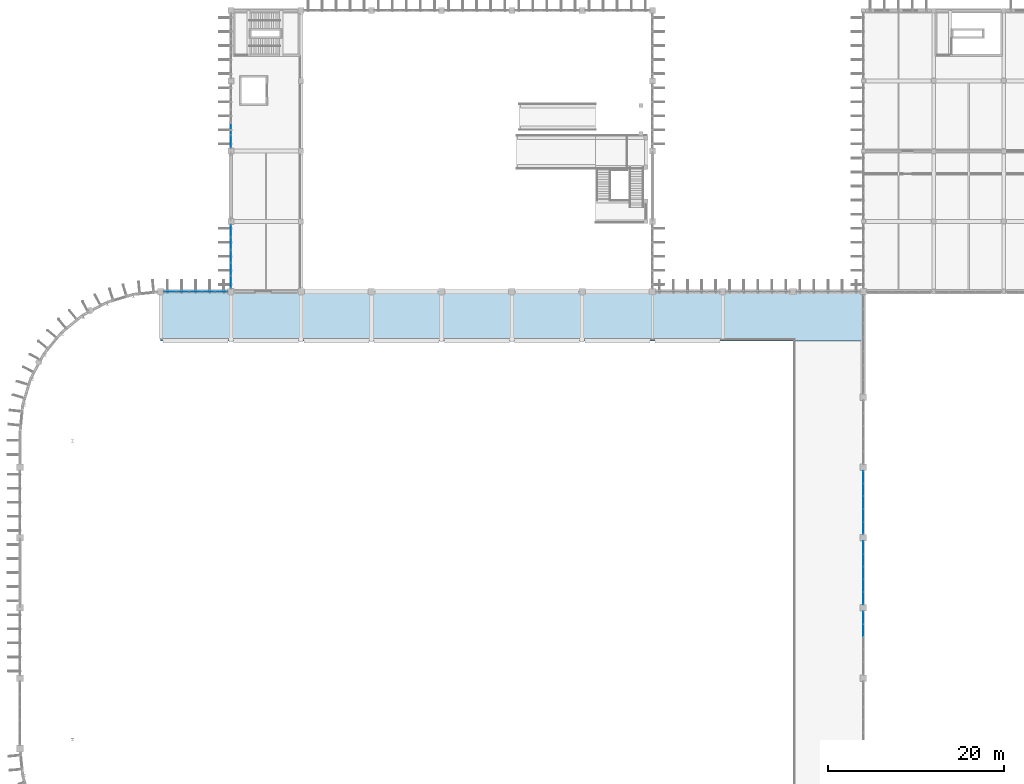
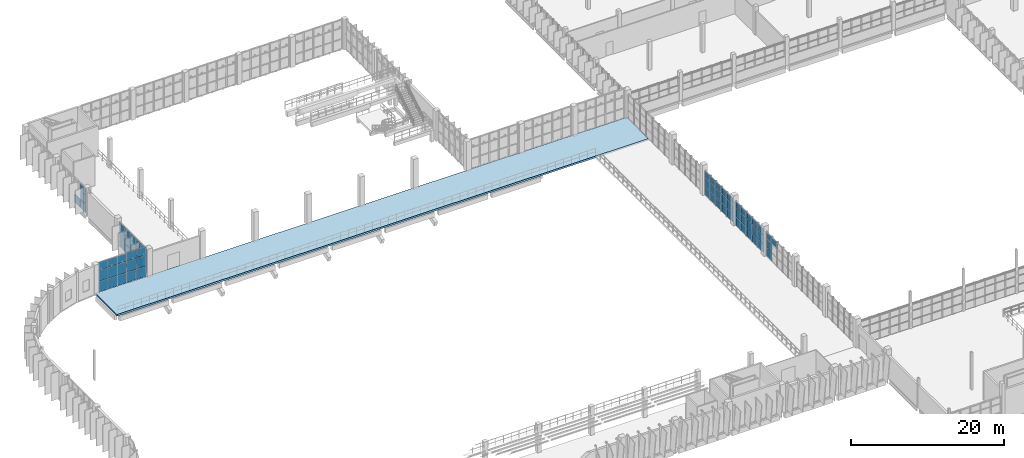
# One storey, part 54 of 93: 68 plates, 1 slab, 6 elements without a shape of their own.
"""IFC4 building model written with IfcOpenShell, lengths in metres."""

from ifc_helpers import new_model, si_unit, direction, frame, origin, origin_2d, place, context, subcontext, project, spatial, polyline, rectangle, outline, extrude, material, layer, layer_set, type_object, element, aggregate, save


model = new_model("IFC4")

# Units and contexts
model_context = context("Model", 3, precision=1e-05, world=origin(), true_north=direction((0.0, 1.0)))
body_context = subcontext(model_context, "Body", "Model", "MODEL_VIEW")
ifc_project = project(units=[si_unit("LENGTHUNIT", "METRE"), si_unit("AREAUNIT", "SQUARE_METRE"), si_unit("VOLUMEUNIT", "CUBIC_METRE"), si_unit("PLANEANGLEUNIT", "RADIAN"), si_unit("MASSUNIT", "GRAM", prefix="KILO")], contexts=[model_context])

# Site, building, storey
site_placement = place(None, origin())
site = spatial("IfcSite", under=ifc_project, at=site_placement, CompositionType="ELEMENT")
building_placement = place(site_placement, origin())
building = spatial("IfcBuilding", under=site, at=building_placement, Name="Drelvana Railside Aquatics Centre", CompositionType="ELEMENT")
storey_placement = place(building_placement, frame((0.0, 0.0, 5.39990234375)))
storey = spatial("IfcBuildingStorey", under=building, at=storey_placement, Name="L01", CompositionType="ELEMENT", Elevation=5.39990234375)

# Curtain wall, plates
ifc_material_1 = material(Name="Bronze-anodised aluminium curtain wall", Category="aluminium")
ifc_layer_1 = layer(ifc_material_1, 0.179931640625, Name="Bronze-anodised aluminium curtain wall")
ifc_layer_set_1 = layer_set([ifc_layer_1], Name="Bronze-anodised aluminium curtain wall")
curtain_wall_type_1 = type_object("IfcCurtainWallType", Name="CW-Z2-CLER", PredefinedType="NOTDEFINED", material=ifc_layer_set_1)
curtain_wall_1_placement = place(storey_placement, origin())
curtain_wall_1 = element("IfcCurtainWall", 1, at=curtain_wall_1_placement, inside=storey, type_object=curtain_wall_type_1, Name="Curtain wall CW-02-018", PredefinedType="NOTDEFINED")
ifc_material_2 = material(Name="Double-glazed low-e solar-control glass", Category="glass")
ifc_layer_2 = layer(ifc_material_2, 0.028076171875, Name="Double-glazed low-e solar-control glass")
ifc_layer_set_2 = layer_set([ifc_layer_2], Name="Double-glazed low-e solar-control glass")
plate_type_1 = type_object("IfcPlateType", Name="CW-Z2-CLER-PAN", PredefinedType="CURTAIN_PANEL", material=ifc_layer_set_2)
plate_1_placement = place(storey_placement, frame((17.11279296875, 84.0, 0.05419921875), z_axis=(0.0, 0.0, 1.0), x_axis=(1.0, 0.0, 0.0)))
plate_1 = element("IfcPlate", 2, at=plate_1_placement, type_object=plate_type_1, Name="CW-02 panel 1.1", PredefinedType="CURTAIN_PANEL", context=body_context, shape_type="SweptSolid", body=[
    extrude(rectangle(XDim=1.357421875, YDim=0.028076171875, at=origin_2d()), origin(), (0.0, 0.0, 1.0), 1.591552734375),
])
plate_2_placement = place(storey_placement, frame((17.11279296875, 84.0, 1.70068359375), z_axis=(0.0, 0.0, 1.0), x_axis=(1.0, 0.0, 0.0)))
plate_2 = element("IfcPlate", 3, at=plate_2_placement, type_object=plate_type_1, Name="CW-02 panel 1.2", PredefinedType="CURTAIN_PANEL", context=body_context, shape_type="SweptSolid", body=[
    extrude(rectangle(XDim=1.357421875, YDim=0.028076171875, at=origin_2d()), origin(), (0.0, 0.0, 1.0), 1.718994140625),
])
plate_3_placement = place(storey_placement, frame((17.11279296875, 84.0, 3.474609375), z_axis=(0.0, 0.0, 1.0), x_axis=(1.0, 0.0, 0.0)))
plate_3 = element("IfcPlate", 4, at=plate_3_placement, type_object=plate_type_1, Name="CW-02 panel 1.3", PredefinedType="CURTAIN_PANEL", context=body_context, shape_type="SweptSolid", body=[
    extrude(rectangle(XDim=1.357421875, YDim=0.028076171875, at=origin_2d()), origin(), (0.0, 0.0, 1.0), 1.255615234375),
])
plate_4_placement = place(storey_placement, frame((18.547607421875, 84.0, 0.05419921875), z_axis=(0.0, 0.0, 1.0), x_axis=(1.0, 0.0, 0.0)))
plate_4 = element("IfcPlate", 5, at=plate_4_placement, type_object=plate_type_1, Name="CW-02 panel 2.1", PredefinedType="CURTAIN_PANEL", context=body_context, shape_type="SweptSolid", body=[
    extrude(rectangle(XDim=1.392333984375, YDim=0.028076171875, at=origin_2d()), origin(), (0.0, 0.0, 1.0), 1.591552734375),
])
plate_5_placement = place(storey_placement, frame((18.547607421875, 84.0, 1.70068359375), z_axis=(0.0, 0.0, 1.0), x_axis=(1.0, 0.0, 0.0)))
plate_5 = element("IfcPlate", 6, at=plate_5_placement, type_object=plate_type_1, Name="CW-02 panel 2.2", PredefinedType="CURTAIN_PANEL", context=body_context, shape_type="SweptSolid", body=[
    extrude(rectangle(XDim=1.392333984375, YDim=0.028076171875, at=origin_2d()), origin(), (0.0, 0.0, 1.0), 1.718994140625),
])
plate_6_placement = place(storey_placement, frame((18.547607421875, 84.0, 3.474609375), z_axis=(0.0, 0.0, 1.0), x_axis=(1.0, 0.0, 0.0)))
plate_6 = element("IfcPlate", 7, at=plate_6_placement, type_object=plate_type_1, Name="CW-02 panel 2.3", PredefinedType="CURTAIN_PANEL", context=body_context, shape_type="SweptSolid", body=[
    extrude(rectangle(XDim=1.392333984375, YDim=0.028076171875, at=origin_2d()), origin(), (0.0, 0.0, 1.0), 1.255615234375),
])
plate_7_placement = place(storey_placement, frame((20.0, 84.0, 0.05419921875), z_axis=(0.0, 0.0, 1.0), x_axis=(1.0, 0.0, 0.0)))
plate_7 = element("IfcPlate", 8, at=plate_7_placement, type_object=plate_type_1, Name="CW-02 panel 3.1", PredefinedType="CURTAIN_PANEL", context=body_context, shape_type="SweptSolid", body=[
    extrude(rectangle(XDim=1.392333984375, YDim=0.028076171875, at=origin_2d()), origin(), (0.0, 0.0, 1.0), 1.591552734375),
])
plate_8_placement = place(storey_placement, frame((20.0, 84.0, 1.70068359375), z_axis=(0.0, 0.0, 1.0), x_axis=(1.0, 0.0, 0.0)))
plate_8 = element("IfcPlate", 9, at=plate_8_placement, type_object=plate_type_1, Name="CW-02 panel 3.2", PredefinedType="CURTAIN_PANEL", context=body_context, shape_type="SweptSolid", body=[
    extrude(rectangle(XDim=1.392333984375, YDim=0.028076171875, at=origin_2d()), origin(), (0.0, 0.0, 1.0), 1.718994140625),
])
plate_9_placement = place(storey_placement, frame((20.0, 84.0, 3.474609375), z_axis=(0.0, 0.0, 1.0), x_axis=(1.0, 0.0, 0.0)))
plate_9 = element("IfcPlate", 10, at=plate_9_placement, type_object=plate_type_1, Name="CW-02 panel 3.3", PredefinedType="CURTAIN_PANEL", context=body_context, shape_type="SweptSolid", body=[
    extrude(rectangle(XDim=1.392333984375, YDim=0.028076171875, at=origin_2d()), origin(), (0.0, 0.0, 1.0), 1.255615234375),
])
plate_10_placement = place(storey_placement, frame((21.452392578125, 84.0, 0.05419921875), z_axis=(0.0, 0.0, 1.0), x_axis=(1.0, 0.0, 0.0)))
plate_10 = element("IfcPlate", 11, at=plate_10_placement, type_object=plate_type_1, Name="CW-02 panel 4.1", PredefinedType="CURTAIN_PANEL", context=body_context, shape_type="SweptSolid", body=[
    extrude(rectangle(XDim=1.392333984375, YDim=0.028076171875, at=origin_2d()), origin(), (0.0, 0.0, 1.0), 1.591552734375),
])
plate_11_placement = place(storey_placement, frame((21.452392578125, 84.0, 1.70068359375), z_axis=(0.0, 0.0, 1.0), x_axis=(1.0, 0.0, 0.0)))
plate_11 = element("IfcPlate", 12, at=plate_11_placement, type_object=plate_type_1, Name="CW-02 panel 4.2", PredefinedType="CURTAIN_PANEL", context=body_context, shape_type="SweptSolid", body=[
    extrude(rectangle(XDim=1.392333984375, YDim=0.028076171875, at=origin_2d()), origin(), (0.0, 0.0, 1.0), 1.718994140625),
])
plate_12_placement = place(storey_placement, frame((21.452392578125, 84.0, 3.474609375), z_axis=(0.0, 0.0, 1.0), x_axis=(1.0, 0.0, 0.0)))
plate_12 = element("IfcPlate", 13, at=plate_12_placement, type_object=plate_type_1, Name="CW-02 panel 4.3", PredefinedType="CURTAIN_PANEL", context=body_context, shape_type="SweptSolid", body=[
    extrude(rectangle(XDim=1.392333984375, YDim=0.028076171875, at=origin_2d()), origin(), (0.0, 0.0, 1.0), 1.255615234375),
])
plate_13_placement = place(storey_placement, frame((22.88720703125, 84.0, 0.05419921875), z_axis=(0.0, 0.0, 1.0), x_axis=(1.0, 0.0, 0.0)))
plate_13 = element("IfcPlate", 14, at=plate_13_placement, type_object=plate_type_1, Name="CW-02 panel 5.1", PredefinedType="CURTAIN_PANEL", context=body_context, shape_type="SweptSolid", body=[
    extrude(rectangle(XDim=1.357421875, YDim=0.028076171875, at=origin_2d()), origin(), (0.0, 0.0, 1.0), 1.591552734375),
])
plate_14_placement = place(storey_placement, frame((22.88720703125, 84.0, 1.70068359375), z_axis=(0.0, 0.0, 1.0), x_axis=(1.0, 0.0, 0.0)))
plate_14 = element("IfcPlate", 15, at=plate_14_placement, type_object=plate_type_1, Name="CW-02 panel 5.2", PredefinedType="CURTAIN_PANEL", context=body_context, shape_type="SweptSolid", body=[
    extrude(rectangle(XDim=1.357421875, YDim=0.028076171875, at=origin_2d()), origin(), (0.0, 0.0, 1.0), 1.718994140625),
])
plate_15_placement = place(storey_placement, frame((22.88720703125, 84.0, 3.474609375), z_axis=(0.0, 0.0, 1.0), x_axis=(1.0, 0.0, 0.0)))
plate_15 = element("IfcPlate", 16, at=plate_15_placement, type_object=plate_type_1, Name="CW-02 panel 5.3", PredefinedType="CURTAIN_PANEL", context=body_context, shape_type="SweptSolid", body=[
    extrude(rectangle(XDim=1.357421875, YDim=0.028076171875, at=origin_2d()), origin(), (0.0, 0.0, 1.0), 1.255615234375),
])
aggregate(curtain_wall_1, [plate_1, plate_2, plate_3, plate_4, plate_5, plate_6, plate_7, plate_8, plate_9, plate_10, plate_11, plate_12, plate_13, plate_14, plate_15])

ifc_layer_3 = layer(ifc_material_1, 0.1650390625, Name="Bronze-anodised aluminium curtain wall")
ifc_layer_set_3 = layer_set([ifc_layer_3], Name="Bronze-anodised aluminium curtain wall")
curtain_wall_type_2 = type_object("IfcCurtainWallType", Name="CW-Z5-COURT", PredefinedType="NOTDEFINED", material=ifc_layer_set_3)
curtain_wall_2_placement = place(storey_placement, origin())
curtain_wall_2 = element("IfcCurtainWall", 17, at=curtain_wall_2_placement, inside=storey, type_object=curtain_wall_type_2, Name="Curtain wall CW-05-064", PredefinedType="NOTDEFINED")
ifc_layer_4 = layer(ifc_material_2, 0.02587890625, Name="Double-glazed low-e solar-control glass")
ifc_layer_set_4 = layer_set([ifc_layer_4], Name="Double-glazed low-e solar-control glass")
plate_type_2 = type_object("IfcPlateType", Name="CW-Z5-COURT-PAN", PredefinedType="CURTAIN_PANEL", material=ifc_layer_set_4)
plate_16_placement = place(storey_placement, frame((96.0, 45.452392578125, 2.8310546875), z_axis=(0.0, 0.0, 1.0), x_axis=(0.0, 1.0, 0.0)))
plate_16 = element("IfcPlate", 18, at=plate_16_placement, type_object=plate_type_2, Name="CW-05 panel 4.3", PredefinedType="CURTAIN_PANEL", context=body_context, shape_type="SweptSolid", body=[
    extrude(rectangle(XDim=1.40234375, YDim=0.02587890625, at=origin_2d()), origin(), (0.0, 0.0, 1.0), 1.013916015625),
])
plate_17_placement = place(storey_placement, frame((96.0, 46.889892578125, 0.049072265625), z_axis=(0.0, 0.0, 1.0), x_axis=(0.0, 1.0, 0.0)))
plate_17 = element("IfcPlate", 19, at=plate_17_placement, type_object=plate_type_2, Name="CW-05 panel 5.1", PredefinedType="CURTAIN_PANEL", context=body_context, shape_type="SweptSolid", body=[
    extrude(rectangle(XDim=1.372314453125, YDim=0.02587890625, at=origin_2d()), origin(), (0.0, 0.0, 1.0), 1.287109375),
])
plate_18_placement = place(storey_placement, frame((96.0, 46.889892578125, 1.385986328125), z_axis=(0.0, 0.0, 1.0), x_axis=(0.0, 1.0, 0.0)))
plate_18 = element("IfcPlate", 20, at=plate_18_placement, type_object=plate_type_2, Name="CW-05 panel 5.2", PredefinedType="CURTAIN_PANEL", context=body_context, shape_type="SweptSolid", body=[
    extrude(rectangle(XDim=1.372314453125, YDim=0.02587890625, at=origin_2d()), origin(), (0.0, 0.0, 1.0), 1.39501953125),
])
plate_19_placement = place(storey_placement, frame((96.0, 46.889892578125, 2.8310546875), z_axis=(0.0, 0.0, 1.0), x_axis=(0.0, 1.0, 0.0)))
plate_19 = element("IfcPlate", 21, at=plate_19_placement, type_object=plate_type_2, Name="CW-05 panel 5.3", PredefinedType="CURTAIN_PANEL", context=body_context, shape_type="SweptSolid", body=[
    extrude(rectangle(XDim=1.372314453125, YDim=0.02587890625, at=origin_2d()), origin(), (0.0, 0.0, 1.0), 1.013916015625),
])
aggregate(curtain_wall_2, [plate_16, plate_17, plate_18, plate_19])

curtain_wall_3_placement = place(storey_placement, origin())
curtain_wall_3 = element("IfcCurtainWall", 22, at=curtain_wall_3_placement, inside=storey, type_object=curtain_wall_type_2, Name="Curtain wall CW-05-067", PredefinedType="NOTDEFINED")
plate_20_placement = place(storey_placement, frame((96.0, 49.110107421875, 0.049072265625), z_axis=(0.0, 0.0, 1.0), x_axis=(0.0, 1.0, 0.0)))
plate_20 = element("IfcPlate", 23, at=plate_20_placement, type_object=plate_type_2, Name="CW-05 panel 1.1", PredefinedType="CURTAIN_PANEL", context=body_context, shape_type="SweptSolid", body=[
    extrude(rectangle(XDim=1.372314453125, YDim=0.02587890625, at=origin_2d()), origin(), (0.0, 0.0, 1.0), 1.287109375),
])
plate_21_placement = place(storey_placement, frame((96.0, 49.110107421875, 1.385986328125), z_axis=(0.0, 0.0, 1.0), x_axis=(0.0, 1.0, 0.0)))
plate_21 = element("IfcPlate", 24, at=plate_21_placement, type_object=plate_type_2, Name="CW-05 panel 1.2", PredefinedType="CURTAIN_PANEL", context=body_context, shape_type="SweptSolid", body=[
    extrude(rectangle(XDim=1.372314453125, YDim=0.02587890625, at=origin_2d()), origin(), (0.0, 0.0, 1.0), 1.39501953125),
])
plate_22_placement = place(storey_placement, frame((96.0, 49.110107421875, 2.8310546875), z_axis=(0.0, 0.0, 1.0), x_axis=(0.0, 1.0, 0.0)))
plate_22 = element("IfcPlate", 25, at=plate_22_placement, type_object=plate_type_2, Name="CW-05 panel 1.3", PredefinedType="CURTAIN_PANEL", context=body_context, shape_type="SweptSolid", body=[
    extrude(rectangle(XDim=1.372314453125, YDim=0.02587890625, at=origin_2d()), origin(), (0.0, 0.0, 1.0), 1.013916015625),
])
plate_23_placement = place(storey_placement, frame((96.0, 50.547607421875, 0.049072265625), z_axis=(0.0, 0.0, 1.0), x_axis=(0.0, 1.0, 0.0)))
plate_23 = element("IfcPlate", 26, at=plate_23_placement, type_object=plate_type_2, Name="CW-05 panel 2.1", PredefinedType="CURTAIN_PANEL", context=body_context, shape_type="SweptSolid", body=[
    extrude(rectangle(XDim=1.40234375, YDim=0.02587890625, at=origin_2d()), origin(), (0.0, 0.0, 1.0), 1.287109375),
])
plate_24_placement = place(storey_placement, frame((96.0, 50.547607421875, 1.385986328125), z_axis=(0.0, 0.0, 1.0), x_axis=(0.0, 1.0, 0.0)))
plate_24 = element("IfcPlate", 27, at=plate_24_placement, type_object=plate_type_2, Name="CW-05 panel 2.2", PredefinedType="CURTAIN_PANEL", context=body_context, shape_type="SweptSolid", body=[
    extrude(rectangle(XDim=1.40234375, YDim=0.02587890625, at=origin_2d()), origin(), (0.0, 0.0, 1.0), 1.39501953125),
])
plate_25_placement = place(storey_placement, frame((96.0, 50.547607421875, 2.8310546875), z_axis=(0.0, 0.0, 1.0), x_axis=(0.0, 1.0, 0.0)))
plate_25 = element("IfcPlate", 28, at=plate_25_placement, type_object=plate_type_2, Name="CW-05 panel 2.3", PredefinedType="CURTAIN_PANEL", context=body_context, shape_type="SweptSolid", body=[
    extrude(rectangle(XDim=1.40234375, YDim=0.02587890625, at=origin_2d()), origin(), (0.0, 0.0, 1.0), 1.013916015625),
])
plate_26_placement = place(storey_placement, frame((96.0, 52.0, 0.049072265625), z_axis=(0.0, 0.0, 1.0), x_axis=(0.0, 1.0, 0.0)))
plate_26 = element("IfcPlate", 29, at=plate_26_placement, type_object=plate_type_2, Name="CW-05 panel 3.1", PredefinedType="CURTAIN_PANEL", context=body_context, shape_type="SweptSolid", body=[
    extrude(rectangle(XDim=1.40234375, YDim=0.02587890625, at=origin_2d()), origin(), (0.0, 0.0, 1.0), 1.287109375),
])
plate_27_placement = place(storey_placement, frame((96.0, 52.0, 1.385986328125), z_axis=(0.0, 0.0, 1.0), x_axis=(0.0, 1.0, 0.0)))
plate_27 = element("IfcPlate", 30, at=plate_27_placement, type_object=plate_type_2, Name="CW-05 panel 3.2", PredefinedType="CURTAIN_PANEL", context=body_context, shape_type="SweptSolid", body=[
    extrude(rectangle(XDim=1.40234375, YDim=0.02587890625, at=origin_2d()), origin(), (0.0, 0.0, 1.0), 1.39501953125),
])
plate_28_placement = place(storey_placement, frame((96.0, 52.0, 2.8310546875), z_axis=(0.0, 0.0, 1.0), x_axis=(0.0, 1.0, 0.0)))
plate_28 = element("IfcPlate", 31, at=plate_28_placement, type_object=plate_type_2, Name="CW-05 panel 3.3", PredefinedType="CURTAIN_PANEL", context=body_context, shape_type="SweptSolid", body=[
    extrude(rectangle(XDim=1.40234375, YDim=0.02587890625, at=origin_2d()), origin(), (0.0, 0.0, 1.0), 1.013916015625),
])
plate_29_placement = place(storey_placement, frame((96.0, 53.452392578125, 0.049072265625), z_axis=(0.0, 0.0, 1.0), x_axis=(0.0, 1.0, 0.0)))
plate_29 = element("IfcPlate", 32, at=plate_29_placement, type_object=plate_type_2, Name="CW-05 panel 4.1", PredefinedType="CURTAIN_PANEL", context=body_context, shape_type="SweptSolid", body=[
    extrude(rectangle(XDim=1.40234375, YDim=0.02587890625, at=origin_2d()), origin(), (0.0, 0.0, 1.0), 1.287109375),
])
plate_30_placement = place(storey_placement, frame((96.0, 53.452392578125, 1.385986328125), z_axis=(0.0, 0.0, 1.0), x_axis=(0.0, 1.0, 0.0)))
plate_30 = element("IfcPlate", 33, at=plate_30_placement, type_object=plate_type_2, Name="CW-05 panel 4.2", PredefinedType="CURTAIN_PANEL", context=body_context, shape_type="SweptSolid", body=[
    extrude(rectangle(XDim=1.40234375, YDim=0.02587890625, at=origin_2d()), origin(), (0.0, 0.0, 1.0), 1.39501953125),
])
plate_31_placement = place(storey_placement, frame((96.0, 53.452392578125, 2.8310546875), z_axis=(0.0, 0.0, 1.0), x_axis=(0.0, 1.0, 0.0)))
plate_31 = element("IfcPlate", 34, at=plate_31_placement, type_object=plate_type_2, Name="CW-05 panel 4.3", PredefinedType="CURTAIN_PANEL", context=body_context, shape_type="SweptSolid", body=[
    extrude(rectangle(XDim=1.40234375, YDim=0.02587890625, at=origin_2d()), origin(), (0.0, 0.0, 1.0), 1.013916015625),
])
plate_32_placement = place(storey_placement, frame((96.0, 54.889892578125, 0.049072265625), z_axis=(0.0, 0.0, 1.0), x_axis=(0.0, 1.0, 0.0)))
plate_32 = element("IfcPlate", 35, at=plate_32_placement, type_object=plate_type_2, Name="CW-05 panel 5.1", PredefinedType="CURTAIN_PANEL", context=body_context, shape_type="SweptSolid", body=[
    extrude(rectangle(XDim=1.372314453125, YDim=0.02587890625, at=origin_2d()), origin(), (0.0, 0.0, 1.0), 1.287109375),
])
plate_33_placement = place(storey_placement, frame((96.0, 54.889892578125, 1.385986328125), z_axis=(0.0, 0.0, 1.0), x_axis=(0.0, 1.0, 0.0)))
plate_33 = element("IfcPlate", 36, at=plate_33_placement, type_object=plate_type_2, Name="CW-05 panel 5.2", PredefinedType="CURTAIN_PANEL", context=body_context, shape_type="SweptSolid", body=[
    extrude(rectangle(XDim=1.372314453125, YDim=0.02587890625, at=origin_2d()), origin(), (0.0, 0.0, 1.0), 1.39501953125),
])
plate_34_placement = place(storey_placement, frame((96.0, 54.889892578125, 2.8310546875), z_axis=(0.0, 0.0, 1.0), x_axis=(0.0, 1.0, 0.0)))
plate_34 = element("IfcPlate", 37, at=plate_34_placement, type_object=plate_type_2, Name="CW-05 panel 5.3", PredefinedType="CURTAIN_PANEL", context=body_context, shape_type="SweptSolid", body=[
    extrude(rectangle(XDim=1.372314453125, YDim=0.02587890625, at=origin_2d()), origin(), (0.0, 0.0, 1.0), 1.013916015625),
])
aggregate(curtain_wall_3, [plate_20, plate_21, plate_22, plate_23, plate_24, plate_25, plate_26, plate_27, plate_28, plate_29, plate_30, plate_31, plate_32, plate_33, plate_34])

curtain_wall_4_placement = place(storey_placement, origin())
curtain_wall_4 = element("IfcCurtainWall", 38, at=curtain_wall_4_placement, inside=storey, type_object=curtain_wall_type_2, Name="Curtain wall CW-05-071", PredefinedType="NOTDEFINED")
plate_35_placement = place(storey_placement, frame((96.0, 57.110107421875, 0.049072265625), z_axis=(0.0, 0.0, 1.0), x_axis=(0.0, 1.0, 0.0)))
plate_35 = element("IfcPlate", 39, at=plate_35_placement, type_object=plate_type_2, Name="CW-05 panel 1.1", PredefinedType="CURTAIN_PANEL", context=body_context, shape_type="SweptSolid", body=[
    extrude(rectangle(XDim=1.372314453125, YDim=0.02587890625, at=origin_2d()), origin(), (0.0, 0.0, 1.0), 1.287109375),
])
plate_36_placement = place(storey_placement, frame((96.0, 57.110107421875, 1.385986328125), z_axis=(0.0, 0.0, 1.0), x_axis=(0.0, 1.0, 0.0)))
plate_36 = element("IfcPlate", 40, at=plate_36_placement, type_object=plate_type_2, Name="CW-05 panel 1.2", PredefinedType="CURTAIN_PANEL", context=body_context, shape_type="SweptSolid", body=[
    extrude(rectangle(XDim=1.372314453125, YDim=0.02587890625, at=origin_2d()), origin(), (0.0, 0.0, 1.0), 1.39501953125),
])
plate_37_placement = place(storey_placement, frame((96.0, 57.110107421875, 2.8310546875), z_axis=(0.0, 0.0, 1.0), x_axis=(0.0, 1.0, 0.0)))
plate_37 = element("IfcPlate", 41, at=plate_37_placement, type_object=plate_type_2, Name="CW-05 panel 1.3", PredefinedType="CURTAIN_PANEL", context=body_context, shape_type="SweptSolid", body=[
    extrude(rectangle(XDim=1.372314453125, YDim=0.02587890625, at=origin_2d()), origin(), (0.0, 0.0, 1.0), 1.013916015625),
])
plate_38_placement = place(storey_placement, frame((96.0, 58.547607421875, 0.049072265625), z_axis=(0.0, 0.0, 1.0), x_axis=(0.0, 1.0, 0.0)))
plate_38 = element("IfcPlate", 42, at=plate_38_placement, type_object=plate_type_2, Name="CW-05 panel 2.1", PredefinedType="CURTAIN_PANEL", context=body_context, shape_type="SweptSolid", body=[
    extrude(rectangle(XDim=1.40234375, YDim=0.02587890625, at=origin_2d()), origin(), (0.0, 0.0, 1.0), 1.287109375),
])
plate_39_placement = place(storey_placement, frame((96.0, 58.547607421875, 1.385986328125), z_axis=(0.0, 0.0, 1.0), x_axis=(0.0, 1.0, 0.0)))
plate_39 = element("IfcPlate", 43, at=plate_39_placement, type_object=plate_type_2, Name="CW-05 panel 2.2", PredefinedType="CURTAIN_PANEL", context=body_context, shape_type="SweptSolid", body=[
    extrude(rectangle(XDim=1.40234375, YDim=0.02587890625, at=origin_2d()), origin(), (0.0, 0.0, 1.0), 1.39501953125),
])
plate_40_placement = place(storey_placement, frame((96.0, 58.547607421875, 2.8310546875), z_axis=(0.0, 0.0, 1.0), x_axis=(0.0, 1.0, 0.0)))
plate_40 = element("IfcPlate", 44, at=plate_40_placement, type_object=plate_type_2, Name="CW-05 panel 2.3", PredefinedType="CURTAIN_PANEL", context=body_context, shape_type="SweptSolid", body=[
    extrude(rectangle(XDim=1.40234375, YDim=0.02587890625, at=origin_2d()), origin(), (0.0, 0.0, 1.0), 1.013916015625),
])
plate_41_placement = place(storey_placement, frame((96.0, 60.0, 0.049072265625), z_axis=(0.0, 0.0, 1.0), x_axis=(0.0, 1.0, 0.0)))
plate_41 = element("IfcPlate", 45, at=plate_41_placement, type_object=plate_type_2, Name="CW-05 panel 3.1", PredefinedType="CURTAIN_PANEL", context=body_context, shape_type="SweptSolid", body=[
    extrude(rectangle(XDim=1.40234375, YDim=0.02587890625, at=origin_2d()), origin(), (0.0, 0.0, 1.0), 1.287109375),
])
plate_42_placement = place(storey_placement, frame((96.0, 60.0, 1.385986328125), z_axis=(0.0, 0.0, 1.0), x_axis=(0.0, 1.0, 0.0)))
plate_42 = element("IfcPlate", 46, at=plate_42_placement, type_object=plate_type_2, Name="CW-05 panel 3.2", PredefinedType="CURTAIN_PANEL", context=body_context, shape_type="SweptSolid", body=[
    extrude(rectangle(XDim=1.40234375, YDim=0.02587890625, at=origin_2d()), origin(), (0.0, 0.0, 1.0), 1.39501953125),
])
plate_43_placement = place(storey_placement, frame((96.0, 60.0, 2.8310546875), z_axis=(0.0, 0.0, 1.0), x_axis=(0.0, 1.0, 0.0)))
plate_43 = element("IfcPlate", 47, at=plate_43_placement, type_object=plate_type_2, Name="CW-05 panel 3.3", PredefinedType="CURTAIN_PANEL", context=body_context, shape_type="SweptSolid", body=[
    extrude(rectangle(XDim=1.40234375, YDim=0.02587890625, at=origin_2d()), origin(), (0.0, 0.0, 1.0), 1.013916015625),
])
plate_44_placement = place(storey_placement, frame((96.0, 61.452392578125, 0.049072265625), z_axis=(0.0, 0.0, 1.0), x_axis=(0.0, 1.0, 0.0)))
plate_44 = element("IfcPlate", 48, at=plate_44_placement, type_object=plate_type_2, Name="CW-05 panel 4.1", PredefinedType="CURTAIN_PANEL", context=body_context, shape_type="SweptSolid", body=[
    extrude(rectangle(XDim=1.40234375, YDim=0.02587890625, at=origin_2d()), origin(), (0.0, 0.0, 1.0), 1.287109375),
])
plate_45_placement = place(storey_placement, frame((96.0, 61.452392578125, 1.385986328125), z_axis=(0.0, 0.0, 1.0), x_axis=(0.0, 1.0, 0.0)))
plate_45 = element("IfcPlate", 49, at=plate_45_placement, type_object=plate_type_2, Name="CW-05 panel 4.2", PredefinedType="CURTAIN_PANEL", context=body_context, shape_type="SweptSolid", body=[
    extrude(rectangle(XDim=1.40234375, YDim=0.02587890625, at=origin_2d()), origin(), (0.0, 0.0, 1.0), 1.39501953125),
])
plate_46_placement = place(storey_placement, frame((96.0, 61.452392578125, 2.8310546875), z_axis=(0.0, 0.0, 1.0), x_axis=(0.0, 1.0, 0.0)))
plate_46 = element("IfcPlate", 50, at=plate_46_placement, type_object=plate_type_2, Name="CW-05 panel 4.3", PredefinedType="CURTAIN_PANEL", context=body_context, shape_type="SweptSolid", body=[
    extrude(rectangle(XDim=1.40234375, YDim=0.02587890625, at=origin_2d()), origin(), (0.0, 0.0, 1.0), 1.013916015625),
])
plate_47_placement = place(storey_placement, frame((96.0, 62.889892578125, 0.049072265625), z_axis=(0.0, 0.0, 1.0), x_axis=(0.0, 1.0, 0.0)))
plate_47 = element("IfcPlate", 51, at=plate_47_placement, type_object=plate_type_2, Name="CW-05 panel 5.1", PredefinedType="CURTAIN_PANEL", context=body_context, shape_type="SweptSolid", body=[
    extrude(rectangle(XDim=1.372314453125, YDim=0.02587890625, at=origin_2d()), origin(), (0.0, 0.0, 1.0), 1.287109375),
])
plate_48_placement = place(storey_placement, frame((96.0, 62.889892578125, 1.385986328125), z_axis=(0.0, 0.0, 1.0), x_axis=(0.0, 1.0, 0.0)))
plate_48 = element("IfcPlate", 52, at=plate_48_placement, type_object=plate_type_2, Name="CW-05 panel 5.2", PredefinedType="CURTAIN_PANEL", context=body_context, shape_type="SweptSolid", body=[
    extrude(rectangle(XDim=1.372314453125, YDim=0.02587890625, at=origin_2d()), origin(), (0.0, 0.0, 1.0), 1.39501953125),
])
plate_49_placement = place(storey_placement, frame((96.0, 62.889892578125, 2.8310546875), z_axis=(0.0, 0.0, 1.0), x_axis=(0.0, 1.0, 0.0)))
plate_49 = element("IfcPlate", 53, at=plate_49_placement, type_object=plate_type_2, Name="CW-05 panel 5.3", PredefinedType="CURTAIN_PANEL", context=body_context, shape_type="SweptSolid", body=[
    extrude(rectangle(XDim=1.372314453125, YDim=0.02587890625, at=origin_2d()), origin(), (0.0, 0.0, 1.0), 1.013916015625),
])
aggregate(curtain_wall_4, [plate_35, plate_36, plate_37, plate_38, plate_39, plate_40, plate_41, plate_42, plate_43, plate_44, plate_45, plate_46, plate_47, plate_48, plate_49])

ifc_layer_5 = layer(ifc_material_1, 0.2099609375, Name="Bronze-anodised aluminium curtain wall")
ifc_layer_set_5 = layer_set([ifc_layer_5], Name="Bronze-anodised aluminium curtain wall")
curtain_wall_type_3 = type_object("IfcCurtainWallType", Name="CW-Z7-DIVE", PredefinedType="NOTDEFINED", material=ifc_layer_set_5)
curtain_wall_5_placement = place(storey_placement, origin())
curtain_wall_5 = element("IfcCurtainWall", 54, at=curtain_wall_5_placement, inside=storey, type_object=curtain_wall_type_3, Name="Curtain wall CW-07-082", PredefinedType="NOTDEFINED")
ifc_layer_6 = layer(ifc_material_2, 0.033935546875, Name="Double-glazed low-e solar-control glass")
ifc_layer_set_6 = layer_set([ifc_layer_6], Name="Double-glazed low-e solar-control glass")
plate_type_3 = type_object("IfcPlateType", Name="CW-Z7-DIVE-PAN", PredefinedType="CURTAIN_PANEL", material=ifc_layer_set_6)
plate_50_placement = place(storey_placement, frame((24.0, 85.11767578125, 0.05908203125), z_axis=(0.0, 0.0, 1.0), x_axis=(0.0, 1.0, 0.0)))
plate_50 = element("IfcPlate", 55, at=plate_50_placement, type_object=plate_type_3, Name="CW-07 panel 1.1", PredefinedType="CURTAIN_PANEL", context=body_context, shape_type="SweptSolid", body=[
    extrude(rectangle(XDim=1.347412109375, YDim=0.033935546875, at=origin_2d()), origin(), (0.0, 0.0, 1.0), 1.300048828125),
])
plate_51_placement = place(storey_placement, frame((24.0, 85.11767578125, 1.419189453125), z_axis=(0.0, 0.0, 1.0), x_axis=(0.0, 1.0, 0.0)))
plate_51 = element("IfcPlate", 56, at=plate_51_placement, type_object=plate_type_3, Name="CW-07 panel 1.2", PredefinedType="CURTAIN_PANEL", context=body_context, shape_type="SweptSolid", body=[
    extrude(rectangle(XDim=1.347412109375, YDim=0.033935546875, at=origin_2d()), origin(), (0.0, 0.0, 1.0), 1.4150390625),
])
plate_52_placement = place(storey_placement, frame((24.0, 85.11767578125, 2.89404296875), z_axis=(0.0, 0.0, 1.0), x_axis=(0.0, 1.0, 0.0)))
plate_52 = element("IfcPlate", 57, at=plate_52_placement, type_object=plate_type_3, Name="CW-07 panel 1.3", PredefinedType="CURTAIN_PANEL", context=body_context, shape_type="SweptSolid", body=[
    extrude(rectangle(XDim=1.347412109375, YDim=0.033935546875, at=origin_2d()), origin(), (0.0, 0.0, 1.0), 1.02099609375),
])
plate_53_placement = place(storey_placement, frame((24.0, 86.55517578125, 0.05908203125), z_axis=(0.0, 0.0, 1.0), x_axis=(0.0, 1.0, 0.0)))
plate_53 = element("IfcPlate", 58, at=plate_53_placement, type_object=plate_type_3, Name="CW-07 panel 2.1", PredefinedType="CURTAIN_PANEL", context=body_context, shape_type="SweptSolid", body=[
    extrude(rectangle(XDim=1.387451171875, YDim=0.033935546875, at=origin_2d()), origin(), (0.0, 0.0, 1.0), 1.300048828125),
])
plate_54_placement = place(storey_placement, frame((24.0, 86.55517578125, 1.419189453125), z_axis=(0.0, 0.0, 1.0), x_axis=(0.0, 1.0, 0.0)))
plate_54 = element("IfcPlate", 59, at=plate_54_placement, type_object=plate_type_3, Name="CW-07 panel 2.2", PredefinedType="CURTAIN_PANEL", context=body_context, shape_type="SweptSolid", body=[
    extrude(rectangle(XDim=1.387451171875, YDim=0.033935546875, at=origin_2d()), origin(), (0.0, 0.0, 1.0), 1.4150390625),
])
plate_55_placement = place(storey_placement, frame((24.0, 86.55517578125, 2.89404296875), z_axis=(0.0, 0.0, 1.0), x_axis=(0.0, 1.0, 0.0)))
plate_55 = element("IfcPlate", 60, at=plate_55_placement, type_object=plate_type_3, Name="CW-07 panel 2.3", PredefinedType="CURTAIN_PANEL", context=body_context, shape_type="SweptSolid", body=[
    extrude(rectangle(XDim=1.387451171875, YDim=0.033935546875, at=origin_2d()), origin(), (0.0, 0.0, 1.0), 1.02099609375),
])
plate_56_placement = place(storey_placement, frame((24.0, 88.012451171875, 0.05908203125), z_axis=(0.0, 0.0, 1.0), x_axis=(0.0, 1.0, 0.0)))
plate_56 = element("IfcPlate", 61, at=plate_56_placement, type_object=plate_type_3, Name="CW-07 panel 3.1", PredefinedType="CURTAIN_PANEL", context=body_context, shape_type="SweptSolid", body=[
    extrude(rectangle(XDim=1.387451171875, YDim=0.033935546875, at=origin_2d()), origin(), (0.0, 0.0, 1.0), 1.300048828125),
])
plate_57_placement = place(storey_placement, frame((24.0, 88.012451171875, 1.419189453125), z_axis=(0.0, 0.0, 1.0), x_axis=(0.0, 1.0, 0.0)))
plate_57 = element("IfcPlate", 62, at=plate_57_placement, type_object=plate_type_3, Name="CW-07 panel 3.2", PredefinedType="CURTAIN_PANEL", context=body_context, shape_type="SweptSolid", body=[
    extrude(rectangle(XDim=1.387451171875, YDim=0.033935546875, at=origin_2d()), origin(), (0.0, 0.0, 1.0), 1.4150390625),
])
plate_58_placement = place(storey_placement, frame((24.0, 88.012451171875, 2.89404296875), z_axis=(0.0, 0.0, 1.0), x_axis=(0.0, 1.0, 0.0)))
plate_58 = element("IfcPlate", 63, at=plate_58_placement, type_object=plate_type_3, Name="CW-07 panel 3.3", PredefinedType="CURTAIN_PANEL", context=body_context, shape_type="SweptSolid", body=[
    extrude(rectangle(XDim=1.387451171875, YDim=0.033935546875, at=origin_2d()), origin(), (0.0, 0.0, 1.0), 1.02099609375),
])
plate_59_placement = place(storey_placement, frame((24.0, 89.469970703125, 0.05908203125), z_axis=(0.0, 0.0, 1.0), x_axis=(0.0, 1.0, 0.0)))
plate_59 = element("IfcPlate", 64, at=plate_59_placement, type_object=plate_type_3, Name="CW-07 panel 4.1", PredefinedType="CURTAIN_PANEL", context=body_context, shape_type="SweptSolid", body=[
    extrude(rectangle(XDim=1.387451171875, YDim=0.033935546875, at=origin_2d()), origin(), (0.0, 0.0, 1.0), 1.300048828125),
])
plate_60_placement = place(storey_placement, frame((24.0, 89.469970703125, 1.419189453125), z_axis=(0.0, 0.0, 1.0), x_axis=(0.0, 1.0, 0.0)))
plate_60 = element("IfcPlate", 65, at=plate_60_placement, type_object=plate_type_3, Name="CW-07 panel 4.2", PredefinedType="CURTAIN_PANEL", context=body_context, shape_type="SweptSolid", body=[
    extrude(rectangle(XDim=1.387451171875, YDim=0.033935546875, at=origin_2d()), origin(), (0.0, 0.0, 1.0), 1.4150390625),
])
plate_61_placement = place(storey_placement, frame((24.0, 89.469970703125, 2.89404296875), z_axis=(0.0, 0.0, 1.0), x_axis=(0.0, 1.0, 0.0)))
plate_61 = element("IfcPlate", 66, at=plate_61_placement, type_object=plate_type_3, Name="CW-07 panel 4.3", PredefinedType="CURTAIN_PANEL", context=body_context, shape_type="SweptSolid", body=[
    extrude(rectangle(XDim=1.387451171875, YDim=0.033935546875, at=origin_2d()), origin(), (0.0, 0.0, 1.0), 1.02099609375),
])
plate_62_placement = place(storey_placement, frame((24.0, 90.9072265625, 0.05908203125), z_axis=(0.0, 0.0, 1.0), x_axis=(0.0, 1.0, 0.0)))
plate_62 = element("IfcPlate", 67, at=plate_62_placement, type_object=plate_type_3, Name="CW-07 panel 5.1", PredefinedType="CURTAIN_PANEL", context=body_context, shape_type="SweptSolid", body=[
    extrude(rectangle(XDim=1.347412109375, YDim=0.033935546875, at=origin_2d()), origin(), (0.0, 0.0, 1.0), 1.300048828125),
])
plate_63_placement = place(storey_placement, frame((24.0, 90.9072265625, 1.419189453125), z_axis=(0.0, 0.0, 1.0), x_axis=(0.0, 1.0, 0.0)))
plate_63 = element("IfcPlate", 68, at=plate_63_placement, type_object=plate_type_3, Name="CW-07 panel 5.2", PredefinedType="CURTAIN_PANEL", context=body_context, shape_type="SweptSolid", body=[
    extrude(rectangle(XDim=1.347412109375, YDim=0.033935546875, at=origin_2d()), origin(), (0.0, 0.0, 1.0), 1.4150390625),
])
plate_64_placement = place(storey_placement, frame((24.0, 90.9072265625, 2.89404296875), z_axis=(0.0, 0.0, 1.0), x_axis=(0.0, 1.0, 0.0)))
plate_64 = element("IfcPlate", 69, at=plate_64_placement, type_object=plate_type_3, Name="CW-07 panel 5.3", PredefinedType="CURTAIN_PANEL", context=body_context, shape_type="SweptSolid", body=[
    extrude(rectangle(XDim=1.347412109375, YDim=0.033935546875, at=origin_2d()), origin(), (0.0, 0.0, 1.0), 1.02099609375),
])
aggregate(curtain_wall_5, [plate_50, plate_51, plate_52, plate_53, plate_54, plate_55, plate_56, plate_57, plate_58, plate_59, plate_60, plate_61, plate_62, plate_63, plate_64])

curtain_wall_6_placement = place(storey_placement, origin())
curtain_wall_6 = element("IfcCurtainWall", 70, at=curtain_wall_6_placement, inside=storey, type_object=curtain_wall_type_3, Name="Curtain wall CW-07-085", PredefinedType="NOTDEFINED")
plate_65_placement = place(storey_placement, frame((24.0, 101.09521484375, 0.05908203125), z_axis=(0.0, 0.0, 1.0), x_axis=(0.0, 1.0, 0.0)))
plate_65 = element("IfcPlate", 71, at=plate_65_placement, type_object=plate_type_3, Name="CW-07 panel 1.1", PredefinedType="CURTAIN_PANEL", context=body_context, shape_type="SweptSolid", body=[
    extrude(rectangle(XDim=1.352294921875, YDim=0.033935546875, at=origin_2d()), origin(), (0.0, 0.0, 1.0), 1.300048828125),
])
plate_66_placement = place(storey_placement, frame((24.0, 101.09521484375, 1.419189453125), z_axis=(0.0, 0.0, 1.0), x_axis=(0.0, 1.0, 0.0)))
plate_66 = element("IfcPlate", 72, at=plate_66_placement, type_object=plate_type_3, Name="CW-07 panel 1.2", PredefinedType="CURTAIN_PANEL", context=body_context, shape_type="SweptSolid", body=[
    extrude(rectangle(XDim=1.352294921875, YDim=0.033935546875, at=origin_2d()), origin(), (0.0, 0.0, 1.0), 1.4150390625),
])
plate_67_placement = place(storey_placement, frame((24.0, 101.09521484375, 2.89404296875), z_axis=(0.0, 0.0, 1.0), x_axis=(0.0, 1.0, 0.0)))
plate_67 = element("IfcPlate", 73, at=plate_67_placement, type_object=plate_type_3, Name="CW-07 panel 1.3", PredefinedType="CURTAIN_PANEL", context=body_context, shape_type="SweptSolid", body=[
    extrude(rectangle(XDim=1.352294921875, YDim=0.033935546875, at=origin_2d()), origin(), (0.0, 0.0, 1.0), 1.02099609375),
])
plate_68_placement = place(storey_placement, frame((24.0, 102.53759765625, 0.05908203125), z_axis=(0.0, 0.0, 1.0), x_axis=(0.0, 1.0, 0.0)))
plate_68 = element("IfcPlate", 74, at=plate_68_placement, type_object=plate_type_3, Name="CW-07 panel 2.1", PredefinedType="CURTAIN_PANEL", context=body_context, shape_type="SweptSolid", body=[
    extrude(rectangle(XDim=1.392333984375, YDim=0.033935546875, at=origin_2d()), origin(), (0.0, 0.0, 1.0), 1.300048828125),
])
aggregate(curtain_wall_6, [plate_65, plate_66, plate_67, plate_68])

# Slab
ifc_material_3 = material(Name="Concrete C40/50", Category="concrete")
ifc_layer_7 = layer(ifc_material_3, 0.27490234375, Name="Concrete C40/50")
ifc_layer_set_7 = layer_set([ifc_layer_7], Name="Concrete C40/50")
slab_type = type_object("IfcSlabType", Name="SL-L01-275", PredefinedType="FLOOR", material=ifc_layer_set_7)
slab_placement = place(storey_placement, frame((0.0, 0.0, -0.27490234375)))
element("IfcSlab", 75, at=slab_placement, inside=storey, type_object=slab_type, Name="Pool Hall north spectator gallery slab", PredefinedType="FLOOR", context=body_context, shape_type="SweptSolid", body=[
    extrude(outline(polyline([(16.0, 78.39990234375), (96.0, 78.39990234375), (96.0, 84.0), (16.0, 84.0), (16.0, 78.39990234375)])), origin(), (0.0, 0.0, 1.0), 0.27490234375),
])

save(model, "model.ifc")
